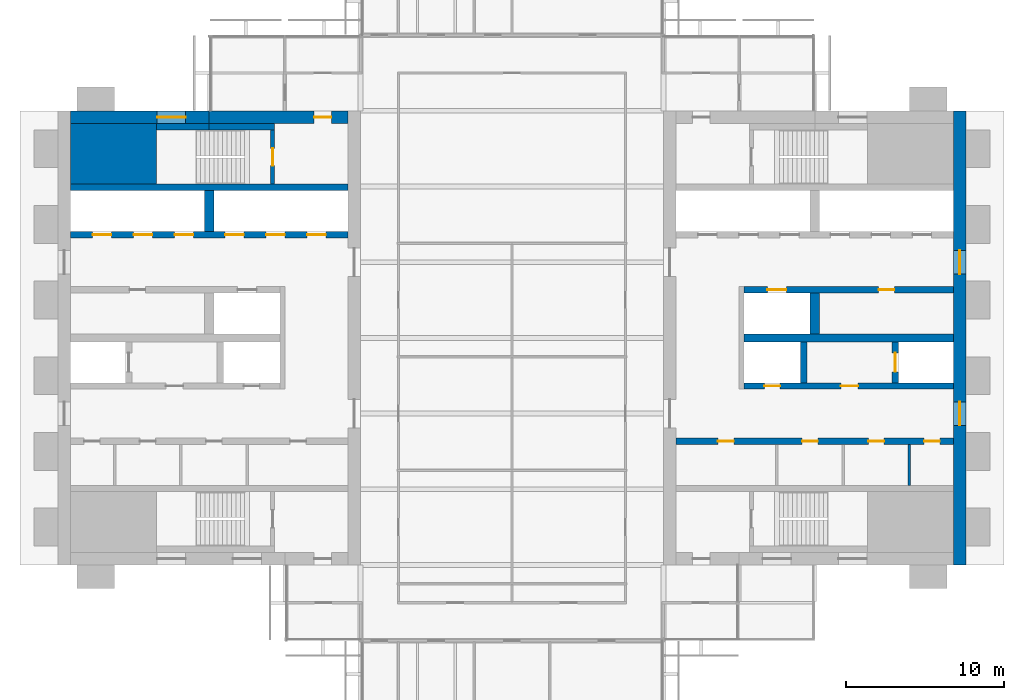
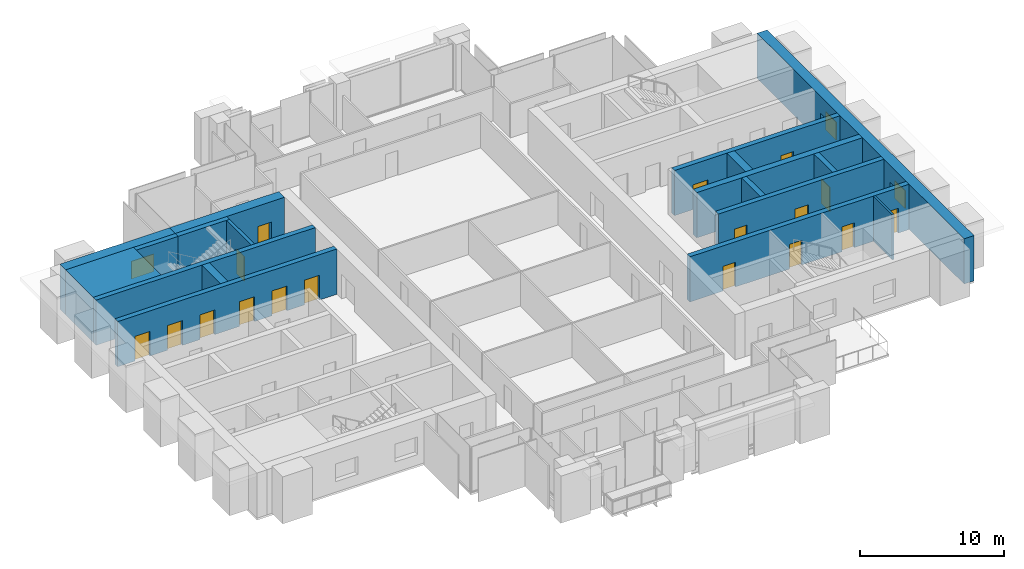
# One storey, part 10 of 14: 18 walls, 17 doors, 3 windows, 20 openings.
"""IFC4 building model written with IfcOpenShell, lengths in metres."""

from ifc_helpers import new_model, si_unit, direction, frame, frame_2d, origin, place, context, subcontext, project, spatial, rectangle, extrude, material, layer, layer_set, type_object, element, fill, save


model = new_model("IFC4")

# Units and contexts
model_context = context("Model", 3, precision=1e-05, world=origin(), true_north=direction((0.0, 1.0)))
body_context = subcontext(model_context, "Body", "Model", "MODEL_VIEW")
ifc_project = project(units=[si_unit("LENGTHUNIT", "METRE"), si_unit("AREAUNIT", "SQUARE_METRE"), si_unit("VOLUMEUNIT", "CUBIC_METRE"), si_unit("PLANEANGLEUNIT", "RADIAN"), si_unit("MASSUNIT", "GRAM", prefix="KILO")], contexts=[model_context])

# Site, building, storey
site_placement = place(None, origin())
site = spatial("IfcSite", under=ifc_project, at=site_placement, CompositionType="ELEMENT")
building_placement = place(site_placement, origin())
building = spatial("IfcBuilding", under=site, at=building_placement, Name="Baori Bourse Tower", CompositionType="ELEMENT")
storey_placement = place(building_placement, frame((0.0, 0.0, 233.199951171875)))
storey = spatial("IfcBuildingStorey", under=building, at=storey_placement, Name="L51", CompositionType="ELEMENT", Elevation=233.199951171875)

# Walls
ifc_material_1 = material(Name="Concrete f'c 50 MPa", Category="concrete")
wall_type_1 = type_object("IfcWallType", Name="Core corner block f'c 50", PredefinedType="SHEAR", material=ifc_material_1)
wall_1_placement = place(storey_placement, frame((0.800048828125, 35.675048828125, 0.0), z_axis=(0.0, 0.0, 1.0), x_axis=(1.0, 0.0, 0.0)))
element("IfcWall", 1, at=wall_1_placement, inside=storey, type_object=wall_type_1, Name="Core wall W23", PredefinedType="SHEAR", context=body_context, shape_type="SweptSolid", body=[
    extrude(rectangle(XDim=5.449951171875, YDim=3.85009765625, at=frame_2d((2.72509765625, 0.0))), origin(), (0.0, 0.0, 1.0), 3.840087890625),
])
ifc_material_2 = material(Name="Blockwork partition", Category="masonry")
ifc_layer_1 = layer(ifc_material_2, 0.14990234375)
ifc_layer_set_1 = layer_set([ifc_layer_1], Name="Core partition 150")
wall_type_2 = type_object("IfcWallType", Name="Core partition 150", PredefinedType="PARTITIONING", material=ifc_layer_set_1)
wall_2_placement = place(storey_placement, frame((54.0, 14.64990234375, 0.0), z_axis=(0.0, 0.0, 1.0), x_axis=(0.0, 1.0, 0.0)))
element("IfcWall", 2, at=wall_2_placement, inside=storey, type_object=wall_type_2, Name="Partition wall E09", PredefinedType="PARTITIONING", context=body_context, shape_type="SweptSolid", body=[
    extrude(rectangle(XDim=2.60009765625, YDim=0.14990234375, at=frame_2d((1.300048828125, 0.0))), origin(), (0.0, 0.0, 1.0), 3.840087890625),
])

# Wall, opening, window
ifc_material_3 = material(Name="Concrete f'c 50 MPa", Category="concrete")
ifc_layer_2 = layer(ifc_material_3, 0.800048828125)
ifc_layer_set_2 = layer_set([ifc_layer_2], Name="Core wall 800 f'c 50")
wall_type_3 = type_object("IfcWallType", Name="Core wall 800 f'c 50", PredefinedType="SHEAR", material=ifc_layer_set_2)
wall_3_placement = place(storey_placement, frame((0.800048828125, 38.0, 0.0), z_axis=(0.0, 0.0, 1.0), x_axis=(1.0, 0.0, 0.0)))
wall_3 = element("IfcWall", 3, at=wall_3_placement, inside=storey, type_object=wall_type_3, Name="Core wall W27", PredefinedType="SHEAR", context=body_context, shape_type="SweptSolid", body=[
    extrude(rectangle(XDim=8.800048828125, YDim=0.800048828125, at=frame_2d((4.39990234375, 0.0))), origin(), (0.0, 0.0, 1.0), 3.840087890625),
])
opening_1_placement = place(wall_3_placement, frame((5.5, 0.0, 0.89990234375)))
opening_1 = element("IfcOpeningElement", 4, at=opening_1_placement, cuts=wall_3, Name="Opening L51-KW105", PredefinedType="OPENING", context=body_context, shape_type="SweptSolid", body=[
    extrude(rectangle(XDim=1.800048828125, YDim=1.5, at=frame_2d((0.89990234375, 0.75))), frame((0.0, 0.409912109375, 0.0), z_axis=(0.0, -1.0, 0.0), x_axis=(1.0, 0.0, 0.0)), (0.0, 0.0, 1.0), 0.820068359375),
])
ifc_material_4 = material(Name="Pale anodised aluminium", Category="aluminium")
window_type_1 = type_object("IfcWindowType", Name="Stair window 1800 x 1500", PartitioningType="SINGLE_PANEL", PredefinedType="WINDOW", material=ifc_material_4)
window_1_placement = place(opening_1_placement, origin())
window_1 = element("IfcWindow", 5, at=window_1_placement, inside=storey, type_object=window_type_1, Name="Stair window W L51 5", OverallHeight=1.5, OverallWidth=1.800048828125, PartitioningType="SINGLE_PANEL", PredefinedType="WINDOW", context=body_context, shape_type="SweptSolid", body=[
    extrude(rectangle(XDim=1.800048828125, YDim=1.5, at=frame_2d((0.89990234375, 0.75))), frame((0.0, 0.030029296875, 0.0), z_axis=(0.0, -1.0, 0.0), x_axis=(1.0, 0.0, 0.0)), (0.0, 0.0, 1.0), 0.06005859375),
])
fill(opening_1, window_1)

# Wall, opening, door
wall_4_placement = place(storey_placement, frame((9.60009765625, 38.0, 0.0), z_axis=(0.0, 0.0, 1.0), x_axis=(1.0, 0.0, 0.0)))
wall_4 = element("IfcWall", 6, at=wall_4_placement, inside=storey, type_object=wall_type_3, Name="Core wall W28", PredefinedType="SHEAR", context=body_context, shape_type="SweptSolid", body=[
    extrude(rectangle(XDim=8.7998046875, YDim=0.800048828125, at=frame_2d((4.39990234375, 0.0))), origin(), (0.0, 0.0, 1.0), 3.840087890625),
])
opening_2_placement = place(wall_4_placement, frame((6.64990234375, 0.0, 0.0)))
opening_2 = element("IfcOpeningElement", 7, at=opening_2_placement, cuts=wall_4, Name="Opening L51-D104", PredefinedType="OPENING", context=body_context, shape_type="SweptSolid", body=[
    extrude(rectangle(XDim=1.10009765625, YDim=2.10009765625, at=frame_2d((0.550048828125, 1.050048828125))), frame((0.0, 0.409912109375, 0.0), z_axis=(0.0, -1.0, 0.0), x_axis=(1.0, 0.0, 0.0)), (0.0, 0.0, 1.0), 0.820068359375),
])
ifc_material_5 = material(Name="Painted steel door", Category="steel")
door_type_1 = type_object("IfcDoorType", Name="Stair door 1100", OperationType="SINGLE_SWING_LEFT", PredefinedType="DOOR", material=ifc_material_5)
door_1_placement = place(opening_2_placement, origin())
door_1 = element("IfcDoor", 8, at=door_1_placement, inside=storey, type_object=door_type_1, Name="Stair vestibule door B W L51", OperationType="SINGLE_SWING_LEFT", OverallHeight=2.10009765625, OverallWidth=1.10009765625, PredefinedType="DOOR", context=body_context, shape_type="SweptSolid", body=[
    extrude(rectangle(XDim=1.10009765625, YDim=2.10009765625, at=frame_2d((0.550048828125, 1.050048828125))), frame((0.0, 0.02490234375, 0.0), z_axis=(0.0, -1.0, 0.0), x_axis=(1.0, 0.0, 0.0)), (0.0, 0.0, 1.0), 0.050048828125),
])
fill(opening_2, door_1)

# Wall, openings, windows
wall_5_placement = place(storey_placement, frame((57.199951171875, 38.39990234375, 0.0), z_axis=(0.0, 0.0, 1.0), x_axis=(0.0, -1.0, 0.0)))
wall_5 = element("IfcWall", 9, at=wall_5_placement, inside=storey, type_object=wall_type_3, Name="Core wall E01", PredefinedType="SHEAR", context=body_context, shape_type="SweptSolid", body=[
    extrude(rectangle(XDim=28.7998046875, YDim=0.800048828125, at=frame_2d((14.39990234375, 0.0))), origin(), (0.0, 0.0, 1.0), 3.840087890625),
])
opening_3_placement = place(wall_5_placement, frame((18.449951171875, 0.0, 0.89990234375)))
opening_3 = element("IfcOpeningElement", 10, at=opening_3_placement, cuts=wall_5, Name="Opening L51-KW201", PredefinedType="OPENING", context=body_context, shape_type="SweptSolid", body=[
    extrude(rectangle(XDim=1.5, YDim=1.5, at=frame_2d((0.75, 0.75))), frame((0.0, 0.409912109375, 0.0), z_axis=(0.0, -1.0, 0.0), x_axis=(1.0, 0.0, 0.0)), (0.0, 0.0, 1.0), 0.820068359375),
])
opening_4_placement = place(wall_5_placement, frame((8.85009765625, 0.0, 0.89990234375)))
opening_4 = element("IfcOpeningElement", 11, at=opening_4_placement, cuts=wall_5, Name="Opening L51-KW202", PredefinedType="OPENING", context=body_context, shape_type="SweptSolid", body=[
    extrude(rectangle(XDim=1.5, YDim=1.5, at=frame_2d((0.75, 0.75))), frame((0.0, 0.409912109375, 0.0), z_axis=(0.0, -1.0, 0.0), x_axis=(1.0, 0.0, 0.0)), (0.0, 0.0, 1.0), 0.820068359375),
])
ifc_material_6 = material(Name="Pale anodised aluminium", Category="aluminium")
window_type_2 = type_object("IfcWindowType", Name="Lobby window 1500 x 1500", PartitioningType="SINGLE_PANEL", PredefinedType="WINDOW", material=ifc_material_6)
window_2_placement = place(opening_3_placement, origin())
window_2 = element("IfcWindow", 12, at=window_2_placement, inside=storey, type_object=window_type_2, Name="Outer wall window E L51 1", OverallHeight=1.5, OverallWidth=1.5, PartitioningType="SINGLE_PANEL", PredefinedType="WINDOW", context=body_context, shape_type="SweptSolid", body=[
    extrude(rectangle(XDim=1.5, YDim=1.5, at=frame_2d((0.75, 0.75))), frame((0.0, 0.030029296875, 0.0), z_axis=(0.0, -1.0, 0.0), x_axis=(1.0, 0.0, 0.0)), (0.0, 0.0, 1.0), 0.06005859375),
])
fill(opening_3, window_2)
window_3_placement = place(opening_4_placement, origin())
window_3 = element("IfcWindow", 13, at=window_3_placement, inside=storey, type_object=window_type_2, Name="Outer wall window E L51 2", OverallHeight=1.5, OverallWidth=1.5, PartitioningType="SINGLE_PANEL", PredefinedType="WINDOW", context=body_context, shape_type="SweptSolid", body=[
    extrude(rectangle(XDim=1.5, YDim=1.5, at=frame_2d((0.75, 0.75))), frame((0.0, 0.030029296875, 0.0), z_axis=(0.0, -1.0, 0.0), x_axis=(1.0, 0.0, 0.0)), (0.0, 0.0, 1.0), 0.06005859375),
])
fill(opening_4, window_3)

# Wall, opening, door
ifc_material_7 = material(Name="Concrete f'c 50 MPa", Category="concrete")
ifc_layer_3 = layer(ifc_material_7, 0.25)
ifc_layer_set_3 = layer_set([ifc_layer_3], Name="Shaft wall 250 f'c 50")
wall_type_4 = type_object("IfcWallType", Name="Shaft wall 250 f'c 50", PredefinedType="SHEAR", material=ifc_layer_set_3)
wall_6_placement = place(storey_placement, frame((13.625, 33.75, 0.0), z_axis=(0.0, 0.0, 1.0), x_axis=(0.0, 1.0, 0.0)))
wall_6 = element("IfcWall", 14, at=wall_6_placement, inside=storey, type_object=wall_type_4, Name="Core wall W24", PredefinedType="SHEAR", context=body_context, shape_type="SweptSolid", body=[
    extrude(rectangle(XDim=3.449951171875, YDim=0.25, at=frame_2d((1.72509765625, 0.0))), origin(), (0.0, 0.0, 1.0), 3.840087890625),
])
opening_5_placement = place(wall_6_placement, frame((1.175048828125, 0.0, 0.0)))
opening_5 = element("IfcOpeningElement", 15, at=opening_5_placement, cuts=wall_6, Name="Opening L51-D103", PredefinedType="OPENING", context=body_context, shape_type="SweptSolid", body=[
    extrude(rectangle(XDim=1.10009765625, YDim=2.10009765625, at=frame_2d((0.550048828125, 1.050048828125))), frame((0.0, 0.135009765625, 0.0), z_axis=(0.0, -1.0, 0.0), x_axis=(1.0, 0.0, 0.0)), (0.0, 0.0, 1.0), 0.27001953125),
])
door_2_placement = place(opening_5_placement, origin())
door_2 = element("IfcDoor", 16, at=door_2_placement, inside=storey, type_object=door_type_1, Name="Stair door B W L51", OperationType="SINGLE_SWING_LEFT", OverallHeight=2.10009765625, OverallWidth=1.10009765625, PredefinedType="DOOR", context=body_context, shape_type="SweptSolid", body=[
    extrude(rectangle(XDim=1.10009765625, YDim=2.10009765625, at=frame_2d((0.550048828125, 1.050048828125))), frame((0.0, 0.02490234375, 0.0), z_axis=(0.0, -1.0, 0.0), x_axis=(1.0, 0.0, 0.0)), (0.0, 0.0, 1.0), 0.050048828125),
])
fill(opening_5, door_2)

# Wall, openings, doors
ifc_material_8 = material(Name="Concrete f'c 50 MPa", Category="concrete")
ifc_layer_4 = layer(ifc_material_8, 0.39990234375)
ifc_layer_set_4 = layer_set([ifc_layer_4], Name="Shaft wall 400 f'c 50")
wall_type_5 = type_object("IfcWallType", Name="Shaft wall 400 f'c 50", PredefinedType="SHEAR", material=ifc_layer_set_4)
wall_7_placement = place(storey_placement, frame((0.800048828125, 30.550048828125, 0.0), z_axis=(0.0, 0.0, 1.0), x_axis=(1.0, 0.0, 0.0)))
wall_7 = element("IfcWall", 17, at=wall_7_placement, inside=storey, type_object=wall_type_5, Name="Core wall W20", PredefinedType="SHEAR", context=body_context, shape_type="SweptSolid", body=[
    extrude(rectangle(XDim=17.599853515625, YDim=0.39990234375, at=frame_2d((8.7998046875, 0.0))), origin(), (0.0, 0.0, 1.0), 3.840087890625),
])
opening_6_placement = place(wall_7_placement, frame((1.39990234375, 0.0, 0.0)))
opening_6 = element("IfcOpeningElement", 18, at=opening_6_placement, cuts=wall_7, Name="Opening L51-D114", PredefinedType="OPENING", context=body_context, shape_type="SweptSolid", body=[
    extrude(rectangle(XDim=1.199951171875, YDim=2.10009765625, at=frame_2d((0.60009765625, 1.050048828125))), frame((0.0, 0.2099609375, 0.0), z_axis=(0.0, -1.0, 0.0), x_axis=(1.0, 0.0, 0.0)), (0.0, 0.0, 1.0), 0.419921875),
])
opening_7_placement = place(wall_7_placement, frame((4.0, 0.0, 0.0)))
opening_7 = element("IfcOpeningElement", 19, at=opening_7_placement, cuts=wall_7, Name="Opening L51-D115", PredefinedType="OPENING", context=body_context, shape_type="SweptSolid", body=[
    extrude(rectangle(XDim=1.199951171875, YDim=2.10009765625, at=frame_2d((0.60009765625, 1.050048828125))), frame((0.0, 0.2099609375, 0.0), z_axis=(0.0, -1.0, 0.0), x_axis=(1.0, 0.0, 0.0)), (0.0, 0.0, 1.0), 0.419921875),
])
opening_8_placement = place(wall_7_placement, frame((6.60009765625, 0.0, 0.0)))
opening_8 = element("IfcOpeningElement", 20, at=opening_8_placement, cuts=wall_7, Name="Opening L51-D116", PredefinedType="OPENING", context=body_context, shape_type="SweptSolid", body=[
    extrude(rectangle(XDim=1.199951171875, YDim=2.10009765625, at=frame_2d((0.60009765625, 1.050048828125))), frame((0.0, 0.2099609375, 0.0), z_axis=(0.0, -1.0, 0.0), x_axis=(1.0, 0.0, 0.0)), (0.0, 0.0, 1.0), 0.419921875),
])
opening_9_placement = place(wall_7_placement, frame((9.800048828125, 0.0, 0.0)))
opening_9 = element("IfcOpeningElement", 21, at=opening_9_placement, cuts=wall_7, Name="Opening L51-D117", PredefinedType="OPENING", context=body_context, shape_type="SweptSolid", body=[
    extrude(rectangle(XDim=1.199951171875, YDim=2.10009765625, at=frame_2d((0.60009765625, 1.050048828125))), frame((0.0, 0.2099609375, 0.0), z_axis=(0.0, -1.0, 0.0), x_axis=(1.0, 0.0, 0.0)), (0.0, 0.0, 1.0), 0.419921875),
])
opening_10_placement = place(wall_7_placement, frame((12.39990234375, 0.0, 0.0)))
opening_10 = element("IfcOpeningElement", 22, at=opening_10_placement, cuts=wall_7, Name="Opening L51-D118", PredefinedType="OPENING", context=body_context, shape_type="SweptSolid", body=[
    extrude(rectangle(XDim=1.199951171875, YDim=2.10009765625, at=frame_2d((0.60009765625, 1.050048828125))), frame((0.0, 0.2099609375, 0.0), z_axis=(0.0, -1.0, 0.0), x_axis=(1.0, 0.0, 0.0)), (0.0, 0.0, 1.0), 0.419921875),
])
opening_11_placement = place(wall_7_placement, frame((15.0, 0.0, 0.0)))
opening_11 = element("IfcOpeningElement", 23, at=opening_11_placement, cuts=wall_7, Name="Opening L51-D119", PredefinedType="OPENING", context=body_context, shape_type="SweptSolid", body=[
    extrude(rectangle(XDim=1.199951171875, YDim=2.10009765625, at=frame_2d((0.60009765625, 1.050048828125))), frame((0.0, 0.2099609375, 0.0), z_axis=(0.0, -1.0, 0.0), x_axis=(1.0, 0.0, 0.0)), (0.0, 0.0, 1.0), 0.419921875),
])
ifc_material_9 = material(Name="Stainless steel door", Category="steel")
door_type_2 = type_object("IfcDoorType", Name="Lift landing door", OperationType="DOUBLE_DOOR_SLIDING", PredefinedType="DOOR", material=ifc_material_9)
door_3_placement = place(opening_6_placement, origin())
door_3 = element("IfcDoor", 24, at=door_3_placement, inside=storey, type_object=door_type_2, Name="Lift landing door HR1 W L51", OperationType="DOUBLE_DOOR_SLIDING", OverallHeight=2.10009765625, OverallWidth=1.199951171875, PredefinedType="DOOR", context=body_context, shape_type="SweptSolid", body=[
    extrude(rectangle(XDim=1.199951171875, YDim=2.10009765625, at=frame_2d((0.60009765625, 1.050048828125))), frame((0.0, 0.02490234375, 0.0), z_axis=(0.0, -1.0, 0.0), x_axis=(1.0, 0.0, 0.0)), (0.0, 0.0, 1.0), 0.050048828125),
])
fill(opening_6, door_3)
door_4_placement = place(opening_7_placement, origin())
door_4 = element("IfcDoor", 25, at=door_4_placement, inside=storey, type_object=door_type_2, Name="Lift landing door HR2 W L51", OperationType="DOUBLE_DOOR_SLIDING", OverallHeight=2.10009765625, OverallWidth=1.199951171875, PredefinedType="DOOR", context=body_context, shape_type="SweptSolid", body=[
    extrude(rectangle(XDim=1.199951171875, YDim=2.10009765625, at=frame_2d((0.60009765625, 1.050048828125))), frame((0.0, 0.02490234375, 0.0), z_axis=(0.0, -1.0, 0.0), x_axis=(1.0, 0.0, 0.0)), (0.0, 0.0, 1.0), 0.050048828125),
])
fill(opening_7, door_4)
door_5_placement = place(opening_8_placement, origin())
door_5 = element("IfcDoor", 26, at=door_5_placement, inside=storey, type_object=door_type_2, Name="Lift landing door HR3 W L51", OperationType="DOUBLE_DOOR_SLIDING", OverallHeight=2.10009765625, OverallWidth=1.199951171875, PredefinedType="DOOR", context=body_context, shape_type="SweptSolid", body=[
    extrude(rectangle(XDim=1.199951171875, YDim=2.10009765625, at=frame_2d((0.60009765625, 1.050048828125))), frame((0.0, 0.02490234375, 0.0), z_axis=(0.0, -1.0, 0.0), x_axis=(1.0, 0.0, 0.0)), (0.0, 0.0, 1.0), 0.050048828125),
])
fill(opening_8, door_5)
door_6_placement = place(opening_9_placement, origin())
door_6 = element("IfcDoor", 27, at=door_6_placement, inside=storey, type_object=door_type_2, Name="Lift landing door HR4 W L51", OperationType="DOUBLE_DOOR_SLIDING", OverallHeight=2.10009765625, OverallWidth=1.199951171875, PredefinedType="DOOR", context=body_context, shape_type="SweptSolid", body=[
    extrude(rectangle(XDim=1.199951171875, YDim=2.10009765625, at=frame_2d((0.60009765625, 1.050048828125))), frame((0.0, 0.02490234375, 0.0), z_axis=(0.0, -1.0, 0.0), x_axis=(1.0, 0.0, 0.0)), (0.0, 0.0, 1.0), 0.050048828125),
])
fill(opening_9, door_6)
door_7_placement = place(opening_10_placement, origin())
door_7 = element("IfcDoor", 28, at=door_7_placement, inside=storey, type_object=door_type_2, Name="Lift landing door HR5 W L51", OperationType="DOUBLE_DOOR_SLIDING", OverallHeight=2.10009765625, OverallWidth=1.199951171875, PredefinedType="DOOR", context=body_context, shape_type="SweptSolid", body=[
    extrude(rectangle(XDim=1.199951171875, YDim=2.10009765625, at=frame_2d((0.60009765625, 1.050048828125))), frame((0.0, 0.02490234375, 0.0), z_axis=(0.0, -1.0, 0.0), x_axis=(1.0, 0.0, 0.0)), (0.0, 0.0, 1.0), 0.050048828125),
])
fill(opening_10, door_7)
door_8_placement = place(opening_11_placement, origin())
door_8 = element("IfcDoor", 29, at=door_8_placement, inside=storey, type_object=door_type_2, Name="Lift landing door HR6 W L51", OperationType="DOUBLE_DOOR_SLIDING", OverallHeight=2.10009765625, OverallWidth=1.199951171875, PredefinedType="DOOR", context=body_context, shape_type="SweptSolid", body=[
    extrude(rectangle(XDim=1.199951171875, YDim=2.10009765625, at=frame_2d((0.60009765625, 1.050048828125))), frame((0.0, 0.02490234375, 0.0), z_axis=(0.0, -1.0, 0.0), x_axis=(1.0, 0.0, 0.0)), (0.0, 0.0, 1.0), 0.050048828125),
])
fill(opening_11, door_8)

# Walls
wall_8_placement = place(storey_placement, frame((0.800048828125, 33.550048828125, 0.0), z_axis=(0.0, 0.0, 1.0), x_axis=(1.0, 0.0, 0.0)))
element("IfcWall", 30, at=wall_8_placement, inside=storey, type_object=wall_type_5, Name="Core wall W22", PredefinedType="SHEAR", context=body_context, shape_type="SweptSolid", body=[
    extrude(rectangle(XDim=17.599853515625, YDim=0.39990234375, at=frame_2d((8.7998046875, 0.0))), origin(), (0.0, 0.0, 1.0), 3.840087890625),
])
wall_9_placement = place(storey_placement, frame((6.25, 37.39990234375, 0.0), z_axis=(0.0, 0.0, 1.0), x_axis=(1.0, 0.0, 0.0)))
element("IfcWall", 31, at=wall_9_placement, inside=storey, type_object=wall_type_5, Name="Core wall W25", PredefinedType="SHEAR", context=body_context, shape_type="SweptSolid", body=[
    extrude(rectangle(XDim=3.35009765625, YDim=0.39990234375, at=frame_2d((1.675048828125, 0.0))), origin(), (0.0, 0.0, 1.0), 3.840087890625),
])
wall_10_placement = place(storey_placement, frame((9.60009765625, 37.39990234375, 0.0), z_axis=(0.0, 0.0, 1.0), x_axis=(1.0, 0.0, 0.0)))
element("IfcWall", 32, at=wall_10_placement, inside=storey, type_object=wall_type_5, Name="Core wall W26", PredefinedType="SHEAR", context=body_context, shape_type="SweptSolid", body=[
    extrude(rectangle(XDim=4.14990234375, YDim=0.39990234375, at=frame_2d((2.074951171875, 0.0))), origin(), (0.0, 0.0, 1.0), 3.840087890625),
])

# Wall, openings, doors
wall_11_placement = place(storey_placement, frame((39.199951171875, 17.449951171875, 0.0), z_axis=(0.0, 0.0, 1.0), x_axis=(1.0, 0.0, 0.0)))
wall_11 = element("IfcWall", 33, at=wall_11_placement, inside=storey, type_object=wall_type_5, Name="Core wall E12", PredefinedType="SHEAR", context=body_context, shape_type="SweptSolid", body=[
    extrude(rectangle(XDim=17.60009765625, YDim=0.39990234375, at=frame_2d((8.800048828125, 0.0))), origin(), (0.0, 0.0, 1.0), 3.840087890625),
])
opening_12_placement = place(wall_11_placement, frame((15.737548828125, 0.0, 0.0)))
opening_12 = element("IfcOpeningElement", 34, at=opening_12_placement, cuts=wall_11, Name="Opening L51-D209", PredefinedType="OPENING", context=body_context, shape_type="SweptSolid", body=[
    extrude(rectangle(XDim=1.0, YDim=2.10009765625, at=frame_2d((0.5, 1.050048828125))), frame((0.0, 0.2099609375, 0.0), z_axis=(0.0, -1.0, 0.0), x_axis=(1.0, 0.0, 0.0)), (0.0, 0.0, 1.0), 0.419921875),
])
opening_13_placement = place(wall_11_placement, frame((12.199951171875, 0.0, 0.0)))
opening_13 = element("IfcOpeningElement", 35, at=opening_13_placement, cuts=wall_11, Name="Opening L51-D210", PredefinedType="OPENING", context=body_context, shape_type="SweptSolid", body=[
    extrude(rectangle(XDim=1.0, YDim=2.10009765625, at=frame_2d((0.5, 1.050048828125))), frame((0.0, 0.2099609375, 0.0), z_axis=(0.0, -1.0, 0.0), x_axis=(1.0, 0.0, 0.0)), (0.0, 0.0, 1.0), 0.419921875),
])
opening_14_placement = place(wall_11_placement, frame((8.0, 0.0, 0.0)))
opening_14 = element("IfcOpeningElement", 36, at=opening_14_placement, cuts=wall_11, Name="Opening L51-D211", PredefinedType="OPENING", context=body_context, shape_type="SweptSolid", body=[
    extrude(rectangle(XDim=1.0, YDim=2.10009765625, at=frame_2d((0.5, 1.050048828125))), frame((0.0, 0.2099609375, 0.0), z_axis=(0.0, -1.0, 0.0), x_axis=(1.0, 0.0, 0.0)), (0.0, 0.0, 1.0), 0.419921875),
])
opening_15_placement = place(wall_11_placement, frame((2.66259765625, 0.0, 0.0)))
opening_15 = element("IfcOpeningElement", 37, at=opening_15_placement, cuts=wall_11, Name="Opening L51-D212", PredefinedType="OPENING", context=body_context, shape_type="SweptSolid", body=[
    extrude(rectangle(XDim=1.0, YDim=2.10009765625, at=frame_2d((0.5, 1.050048828125))), frame((0.0, 0.2099609375, 0.0), z_axis=(0.0, -1.0, 0.0), x_axis=(1.0, 0.0, 0.0)), (0.0, 0.0, 1.0), 0.419921875),
])
ifc_material_10 = material(Name="Painted steel door", Category="steel")
door_type_3 = type_object("IfcDoorType", Name="Core door 1000", OperationType="SINGLE_SWING_LEFT", PredefinedType="DOOR", material=ifc_material_10)
door_9_placement = place(opening_13_placement, origin())
door_9 = element("IfcDoor", 38, at=door_9_placement, inside=storey, type_object=door_type_3, Name="Women'S Wc door E L51", OperationType="SINGLE_SWING_LEFT", OverallHeight=2.10009765625, OverallWidth=1.0, PredefinedType="DOOR", context=body_context, shape_type="SweptSolid", body=[
    extrude(rectangle(XDim=1.0, YDim=2.10009765625, at=frame_2d((0.5, 1.050048828125))), frame((0.0, 0.02490234375, 0.0), z_axis=(0.0, -1.0, 0.0), x_axis=(1.0, 0.0, 0.0)), (0.0, 0.0, 1.0), 0.050048828125),
])
fill(opening_13, door_9)
door_10_placement = place(opening_14_placement, origin())
door_10 = element("IfcDoor", 39, at=door_10_placement, inside=storey, type_object=door_type_3, Name="Accessible Wc door E L51", OperationType="SINGLE_SWING_LEFT", OverallHeight=2.10009765625, OverallWidth=1.0, PredefinedType="DOOR", context=body_context, shape_type="SweptSolid", body=[
    extrude(rectangle(XDim=1.0, YDim=2.10009765625, at=frame_2d((0.5, 1.050048828125))), frame((0.0, 0.02490234375, 0.0), z_axis=(0.0, -1.0, 0.0), x_axis=(1.0, 0.0, 0.0)), (0.0, 0.0, 1.0), 0.050048828125),
])
fill(opening_14, door_10)
door_11_placement = place(opening_15_placement, origin())
door_11 = element("IfcDoor", 40, at=door_11_placement, inside=storey, type_object=door_type_3, Name="Men'S Wc door E L51", OperationType="SINGLE_SWING_LEFT", OverallHeight=2.10009765625, OverallWidth=1.0, PredefinedType="DOOR", context=body_context, shape_type="SweptSolid", body=[
    extrude(rectangle(XDim=1.0, YDim=2.10009765625, at=frame_2d((0.5, 1.050048828125))), frame((0.0, 0.02490234375, 0.0), z_axis=(0.0, -1.0, 0.0), x_axis=(1.0, 0.0, 0.0)), (0.0, 0.0, 1.0), 0.050048828125),
])
fill(opening_15, door_11)
ifc_material_11 = material(Name="Painted steel door", Category="steel")
door_type_4 = type_object("IfcDoorType", Name="Plant room door 1000", OperationType="SINGLE_SWING_LEFT", PredefinedType="DOOR", material=ifc_material_11)
door_12_placement = place(opening_12_placement, origin())
door_12 = element("IfcDoor", 41, at=door_12_placement, inside=storey, type_object=door_type_4, Name="Communications Room door E L51", OperationType="SINGLE_SWING_LEFT", OverallHeight=2.10009765625, OverallWidth=1.0, PredefinedType="DOOR", context=body_context, shape_type="SweptSolid", body=[
    extrude(rectangle(XDim=1.0, YDim=2.10009765625, at=frame_2d((0.5, 1.050048828125))), frame((0.0, 0.02490234375, 0.0), z_axis=(0.0, -1.0, 0.0), x_axis=(1.0, 0.0, 0.0)), (0.0, 0.0, 1.0), 0.050048828125),
])
fill(opening_12, door_12)

wall_12_placement = place(storey_placement, frame((43.5, 20.949951171875, 0.0), z_axis=(0.0, 0.0, 1.0), x_axis=(1.0, 0.0, 0.0)))
wall_12 = element("IfcWall", 42, at=wall_12_placement, inside=storey, type_object=wall_type_5, Name="Core wall E13", PredefinedType="SHEAR", context=body_context, shape_type="SweptSolid", body=[
    extrude(rectangle(XDim=13.300048828125, YDim=0.39990234375, at=frame_2d((6.64990234375, 0.0))), origin(), (0.0, 0.0, 1.0), 3.840087890625),
])
opening_16_placement = place(wall_12_placement, frame((6.14990234375, 0.0, 0.0)))
opening_16 = element("IfcOpeningElement", 43, at=opening_16_placement, cuts=wall_12, Name="Opening L51-D205", PredefinedType="OPENING", context=body_context, shape_type="SweptSolid", body=[
    extrude(rectangle(XDim=1.10009765625, YDim=2.10009765625, at=frame_2d((0.550048828125, 1.050048828125))), frame((0.0, 0.2099609375, 0.0), z_axis=(0.0, -1.0, 0.0), x_axis=(1.0, 0.0, 0.0)), (0.0, 0.0, 1.0), 0.419921875),
])
opening_17_placement = place(wall_12_placement, frame((1.300048828125, 0.0, 0.0)))
opening_17 = element("IfcOpeningElement", 44, at=opening_17_placement, cuts=wall_12, Name="Opening L51-D206", PredefinedType="OPENING", context=body_context, shape_type="SweptSolid", body=[
    extrude(rectangle(XDim=1.0, YDim=2.10009765625, at=frame_2d((0.5, 1.050048828125))), frame((0.0, 0.2099609375, 0.0), z_axis=(0.0, -1.0, 0.0), x_axis=(1.0, 0.0, 0.0)), (0.0, 0.0, 1.0), 0.419921875),
])
ifc_material_12 = material(Name="Painted steel door", Category="steel")
door_type_5 = type_object("IfcDoorType", Name="Lobby door 1100", OperationType="SINGLE_SWING_LEFT", PredefinedType="DOOR", material=ifc_material_12)
door_13_placement = place(opening_16_placement, origin())
door_13 = element("IfcDoor", 45, at=door_13_placement, inside=storey, type_object=door_type_5, Name="Firefighting lobby door E L51", OperationType="SINGLE_SWING_LEFT", OverallHeight=2.10009765625, OverallWidth=1.10009765625, PredefinedType="DOOR", context=body_context, shape_type="SweptSolid", body=[
    extrude(rectangle(XDim=1.10009765625, YDim=2.10009765625, at=frame_2d((0.550048828125, 1.050048828125))), frame((0.0, 0.02490234375, 0.0), z_axis=(0.0, -1.0, 0.0), x_axis=(1.0, 0.0, 0.0)), (0.0, 0.0, 1.0), 0.050048828125),
])
fill(opening_16, door_13)
ifc_material_13 = material(Name="Painted steel door", Category="steel")
door_type_6 = type_object("IfcDoorType", Name="Shaft door 1000", OperationType="SINGLE_SWING_LEFT", PredefinedType="DOOR", material=ifc_material_13)
door_14_placement = place(opening_17_placement, origin())
door_14 = element("IfcDoor", 46, at=door_14_placement, inside=storey, type_object=door_type_6, Name="Riser room door E L51", OperationType="SINGLE_SWING_LEFT", OverallHeight=2.10009765625, OverallWidth=1.0, PredefinedType="DOOR", context=body_context, shape_type="SweptSolid", body=[
    extrude(rectangle(XDim=1.0, YDim=2.10009765625, at=frame_2d((0.5, 1.050048828125))), frame((0.0, 0.02490234375, 0.0), z_axis=(0.0, -1.0, 0.0), x_axis=(1.0, 0.0, 0.0)), (0.0, 0.0, 1.0), 0.050048828125),
])
fill(opening_17, door_14)

# Wall, opening, door
wall_13_placement = place(storey_placement, frame((53.10009765625, 21.14990234375, 0.0), z_axis=(0.0, 0.0, 1.0), x_axis=(0.0, 1.0, 0.0)))
wall_13 = element("IfcWall", 47, at=wall_13_placement, inside=storey, type_object=wall_type_5, Name="Core wall E15", PredefinedType="SHEAR", context=body_context, shape_type="SweptSolid", body=[
    extrude(rectangle(XDim=2.60009765625, YDim=0.39990234375, at=frame_2d((1.300048828125, 0.0))), origin(), (0.0, 0.0, 1.0), 3.840087890625),
])
opening_18_placement = place(wall_13_placement, frame((0.699951171875, 0.0, 0.0)))
opening_18 = element("IfcOpeningElement", 48, at=opening_18_placement, cuts=wall_13, Name="Opening L51-D221", PredefinedType="OPENING", context=body_context, shape_type="SweptSolid", body=[
    extrude(rectangle(XDim=1.199951171875, YDim=2.10009765625, at=frame_2d((0.60009765625, 1.050048828125))), frame((0.0, 0.2099609375, 0.0), z_axis=(0.0, -1.0, 0.0), x_axis=(1.0, 0.0, 0.0)), (0.0, 0.0, 1.0), 0.419921875),
])
door_15_placement = place(opening_18_placement, origin())
door_15 = element("IfcDoor", 49, at=door_15_placement, inside=storey, type_object=door_type_2, Name="Lift landing door FF2 E L51", OperationType="DOUBLE_DOOR_SLIDING", OverallHeight=2.10009765625, OverallWidth=1.199951171875, PredefinedType="DOOR", context=body_context, shape_type="SweptSolid", body=[
    extrude(rectangle(XDim=1.199951171875, YDim=2.10009765625, at=frame_2d((0.60009765625, 1.050048828125))), frame((0.0, 0.02490234375, 0.0), z_axis=(0.0, -1.0, 0.0), x_axis=(1.0, 0.0, 0.0)), (0.0, 0.0, 1.0), 0.050048828125),
])
fill(opening_18, door_15)

# Wall
wall_14_placement = place(storey_placement, frame((47.300048828125, 21.14990234375, 0.0), z_axis=(0.0, 0.0, 1.0), x_axis=(0.0, 1.0, 0.0)))
element("IfcWall", 50, at=wall_14_placement, inside=storey, type_object=wall_type_5, Name="Core wall E16", PredefinedType="SHEAR", context=body_context, shape_type="SweptSolid", body=[
    extrude(rectangle(XDim=2.60009765625, YDim=0.39990234375, at=frame_2d((1.300048828125, 0.0))), origin(), (0.0, 0.0, 1.0), 3.840087890625),
])

# Wall, openings, doors
wall_15_placement = place(storey_placement, frame((43.5, 27.050048828125, 0.0), z_axis=(0.0, 0.0, 1.0), x_axis=(1.0, 0.0, 0.0)))
wall_15 = element("IfcWall", 51, at=wall_15_placement, inside=storey, type_object=wall_type_5, Name="Core wall E19", PredefinedType="SHEAR", context=body_context, shape_type="SweptSolid", body=[
    extrude(rectangle(XDim=13.300048828125, YDim=0.39990234375, at=frame_2d((6.64990234375, 0.0))), origin(), (0.0, 0.0, 1.0), 3.840087890625),
])
opening_19_placement = place(wall_15_placement, frame((8.550048828125, 0.0, 0.0)))
opening_19 = element("IfcOpeningElement", 52, at=opening_19_placement, cuts=wall_15, Name="Opening L51-D213", PredefinedType="OPENING", context=body_context, shape_type="SweptSolid", body=[
    extrude(rectangle(XDim=1.0, YDim=2.10009765625, at=frame_2d((0.5, 1.050048828125))), frame((0.0, 0.2099609375, 0.0), z_axis=(0.0, -1.0, 0.0), x_axis=(1.0, 0.0, 0.0)), (0.0, 0.0, 1.0), 0.419921875),
])
opening_20_placement = place(wall_15_placement, frame((1.5, 0.0, 0.0)))
opening_20 = element("IfcOpeningElement", 53, at=opening_20_placement, cuts=wall_15, Name="Opening L51-D220", PredefinedType="OPENING", context=body_context, shape_type="SweptSolid", body=[
    extrude(rectangle(XDim=1.199951171875, YDim=2.10009765625, at=frame_2d((0.60009765625, 1.050048828125))), frame((0.0, 0.2099609375, 0.0), z_axis=(0.0, -1.0, 0.0), x_axis=(1.0, 0.0, 0.0)), (0.0, 0.0, 1.0), 0.419921875),
])
door_16_placement = place(opening_19_placement, origin())
door_16 = element("IfcDoor", 54, at=door_16_placement, inside=storey, type_object=door_type_3, Name="Recycling Room door E L51", OperationType="SINGLE_SWING_LEFT", OverallHeight=2.10009765625, OverallWidth=1.0, PredefinedType="DOOR", context=body_context, shape_type="SweptSolid", body=[
    extrude(rectangle(XDim=1.0, YDim=2.10009765625, at=frame_2d((0.5, 1.050048828125))), frame((0.0, 0.02490234375, 0.0), z_axis=(0.0, -1.0, 0.0), x_axis=(1.0, 0.0, 0.0)), (0.0, 0.0, 1.0), 0.050048828125),
])
fill(opening_19, door_16)
door_17_placement = place(opening_20_placement, origin())
door_17 = element("IfcDoor", 55, at=door_17_placement, inside=storey, type_object=door_type_2, Name="Lift landing door SV1 E L51", OperationType="DOUBLE_DOOR_SLIDING", OverallHeight=2.10009765625, OverallWidth=1.199951171875, PredefinedType="DOOR", context=body_context, shape_type="SweptSolid", body=[
    extrude(rectangle(XDim=1.199951171875, YDim=2.10009765625, at=frame_2d((0.60009765625, 1.050048828125))), frame((0.0, 0.02490234375, 0.0), z_axis=(0.0, -1.0, 0.0), x_axis=(1.0, 0.0, 0.0)), (0.0, 0.0, 1.0), 0.050048828125),
])
fill(opening_20, door_17)

# Walls
ifc_material_14 = material(Name="Concrete f'c 50 MPa", Category="concrete")
ifc_layer_5 = layer(ifc_material_14, 0.5)
ifc_layer_set_5 = layer_set([ifc_layer_5], Name="Shaft wall 500 f'c 50")
wall_type_6 = type_object("IfcWallType", Name="Shaft wall 500 f'c 50", PredefinedType="SHEAR", material=ifc_layer_set_5)
wall_16_placement = place(storey_placement, frame((43.5, 24.0, 0.0), z_axis=(0.0, 0.0, 1.0), x_axis=(1.0, 0.0, 0.0)))
element("IfcWall", 56, at=wall_16_placement, inside=storey, type_object=wall_type_6, Name="Core wall E17", PredefinedType="SHEAR", context=body_context, shape_type="SweptSolid", body=[
    extrude(rectangle(XDim=13.300048828125, YDim=0.5, at=frame_2d((6.64990234375, 0.0))), origin(), (0.0, 0.0, 1.0), 3.840087890625),
])
ifc_material_15 = material(Name="Concrete f'c 50 MPa", Category="concrete")
ifc_layer_6 = layer(ifc_material_15, 0.60009765625)
ifc_layer_set_6 = layer_set([ifc_layer_6], Name="Shaft wall 600 f'c 50")
wall_type_7 = type_object("IfcWallType", Name="Shaft wall 600 f'c 50", PredefinedType="SHEAR", material=ifc_layer_set_6)
for number, where, z_axis, x_axis, name in (
    (57, (9.60009765625, 30.75, 0.0), (0.0, 0.0, 1.0), (0.0, 1.0, 0.0), "Core wall W21"),
    (58, (48.0, 24.25, 0.0), (0.0, 0.0, 1.0), (0.0, 1.0, 0.0), "Core wall E18"),
):
    element("IfcWall", number, at=place(storey_placement, frame(where, z_axis=z_axis, x_axis=x_axis)), inside=storey, type_object=wall_type_7, Name=name, PredefinedType="SHEAR", context=body_context, shape_type="SweptSolid", body=[
        extrude(rectangle(XDim=2.60009765625, YDim=0.60009765625, at=frame_2d((1.300048828125, 0.0))), origin(), (0.0, 0.0, 1.0), 3.840087890625),
    ])

save(model, "model.ifc")
